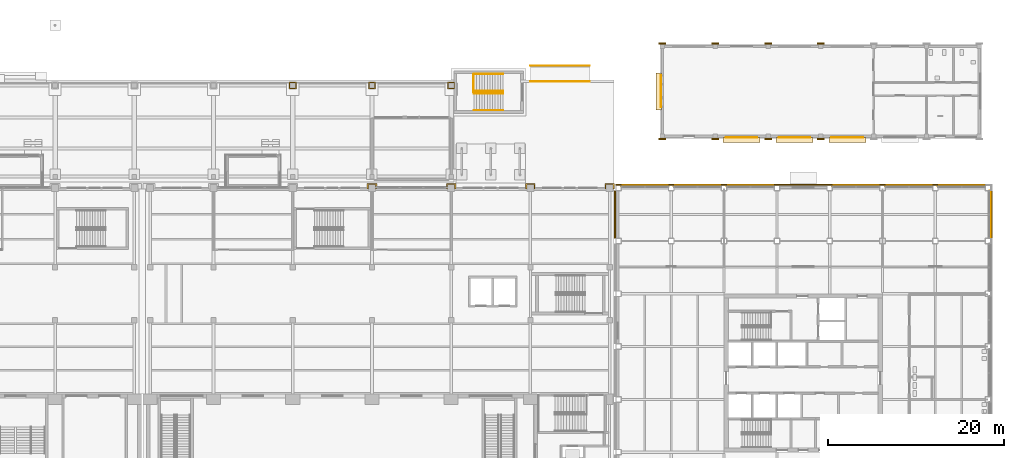
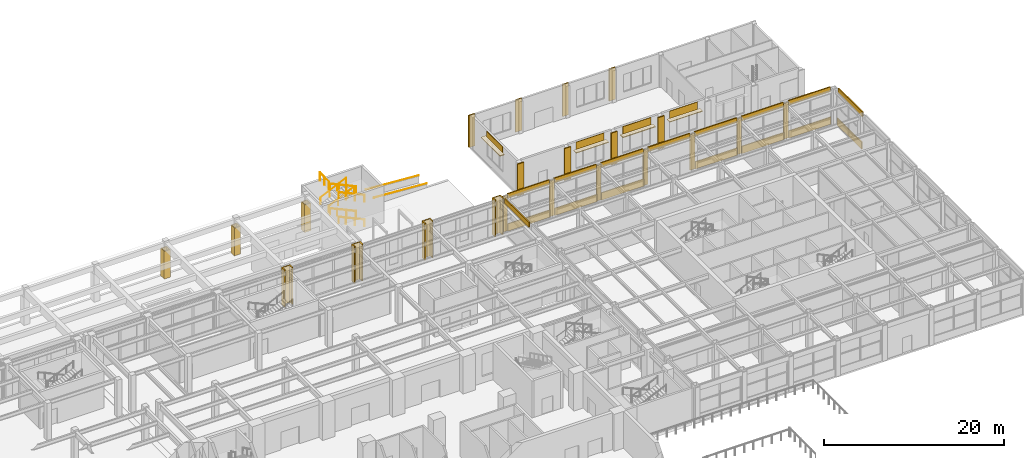
# One storey, part 73 of 77: 46 coverings, 9 railings.
"""IFC4 building model written with IfcOpenShell, lengths in metres."""

from ifc_helpers import new_model, si_unit, direction, frame, origin, origin_2d, place, context, subcontext, project, spatial, polyline, circle, outline, extrude, material, layer, layer_set, type_object, element, save


model = new_model("IFC4")

# Units and contexts
model_context = context("Model", 3, precision=1e-05, world=origin(), true_north=direction((0.0, 1.0)))
body_context = subcontext(model_context, "Body", "Model", "MODEL_VIEW")
ifc_project = project(units=[si_unit("LENGTHUNIT", "METRE"), si_unit("AREAUNIT", "SQUARE_METRE"), si_unit("VOLUMEUNIT", "CUBIC_METRE"), si_unit("PLANEANGLEUNIT", "RADIAN"), si_unit("MASSUNIT", "GRAM", prefix="KILO")], contexts=[model_context])

# Site, building, storey
site_placement = place(None, origin())
site = spatial("IfcSite", under=ifc_project, at=site_placement, CompositionType="ELEMENT")
building_placement = place(site_placement, origin())
building = spatial("IfcBuilding", under=site, at=building_placement, Name="Aravalli Gate Trade Fair Centre", CompositionType="ELEMENT")
storey_placement = place(building_placement, origin())
storey = spatial("IfcBuildingStorey", under=building, at=storey_placement, Name="L00", CompositionType="ELEMENT", Elevation=0.0)

# Coverings
ifc_material_1 = material(Name="Glazed terracotta", Category="masonry")
ifc_layer_1 = layer(ifc_material_1, 0.10009765625)
ifc_layer_set_1 = layer_set([ifc_layer_1], Name="Glazed terracotta")
covering_type_1 = type_object("IfcCoveringType", Name="Arcade pier casing 100", PredefinedType="CLADDING", material=ifc_layer_set_1)
covering_1_placement = place(storey_placement, origin())
element("IfcCovering", 1, at=covering_1_placement, inside=storey, type_object=covering_type_1, Name="Arcade pier casing 14 L00", PredefinedType="CLADDING", context=body_context, shape_type="SweptSolid", body=[
    extrude(outline(polyline([(122.60009765625, 144.25), (123.39990234375, 144.25), (123.39990234375, 145.050048828125), (122.60009765625, 145.050048828125), (122.60009765625, 144.25)]), holes=[polyline([(123.300048828125, 144.949951171875), (123.300048828125, 144.35009765625), (122.699951171875, 144.35009765625), (122.699951171875, 144.949951171875), (123.300048828125, 144.949951171875)])]), origin(), (0.0, 0.0, 1.0), 3.75),
])
covering_2_placement = place(storey_placement, origin())
element("IfcCovering", 2, at=covering_2_placement, inside=storey, type_object=covering_type_1, Name="Arcade pier casing 15 L00", PredefinedType="CLADDING", context=body_context, shape_type="SweptSolid", body=[
    extrude(outline(polyline([(131.60009765625, 144.25), (132.39990234375, 144.25), (132.39990234375, 145.050048828125), (131.60009765625, 145.050048828125), (131.60009765625, 144.25)]), holes=[polyline([(132.300048828125, 144.949951171875), (132.300048828125, 144.35009765625), (131.699951171875, 144.35009765625), (131.699951171875, 144.949951171875), (132.300048828125, 144.949951171875)])]), origin(), (0.0, 0.0, 1.0), 3.75),
])
covering_3_placement = place(storey_placement, origin())
element("IfcCovering", 3, at=covering_3_placement, inside=storey, type_object=covering_type_1, Name="Arcade pier casing 16 L00", PredefinedType="CLADDING", context=body_context, shape_type="SweptSolid", body=[
    extrude(outline(polyline([(140.60009765625, 144.25), (141.39990234375, 144.25), (141.39990234375, 145.050048828125), (140.60009765625, 145.050048828125), (140.60009765625, 144.25)]), holes=[polyline([(141.300048828125, 144.949951171875), (141.300048828125, 144.35009765625), (140.699951171875, 144.35009765625), (140.699951171875, 144.949951171875), (141.300048828125, 144.949951171875)])]), origin(), (0.0, 0.0, 1.0), 3.75),
])

# Railings
ifc_material_2 = material(Name="Steel E350", Category="steel")
railing_type_1 = type_object("IfcRailingType", Name="Concourse guard 1100", PredefinedType="GUARDRAIL", material=ifc_material_2)
railing_placement = place(storey_placement, frame((143.550048828125, 143.89990234375, 5.0)))
element("IfcRailing", 4, at=railing_placement, inside=storey, type_object=railing_type_1, Name="Guard AT L00 landing edge", PredefinedType="GUARDRAIL", context=body_context, shape_type="SweptSolid", body=[
    extrude(circle(Radius=0.02392578125, at=origin_2d()), frame((0.0, 0.0, 1.076171875), z_axis=(0.0, 1.0, 0.0), x_axis=(-1.0, 0.0, 0.0)), (0.0, 0.0, 1.0), 2.050048828125),
    extrude(circle(Radius=0.02099609375, at=origin_2d()), origin(), (0.0, 0.0, 1.0), 1.052001953125),
    extrude(circle(Radius=0.02099609375, at=origin_2d()), frame((0.0, 1.02490234375, 0.0)), (0.0, 0.0, 1.0), 1.052001953125),
    extrude(circle(Radius=0.02099609375, at=origin_2d()), frame((0.0, 2.050048828125, 0.0)), (0.0, 0.0, 1.0), 1.052001953125),
])
railing_type_2 = type_object("IfcRailingType", Name="Concourse plaza ramp handrail 900", PredefinedType="HANDRAIL", material=ifc_material_2)
for number, where, name in (
    (5, (150.0, 145.10009765625, 0.89990234375), "Plaza ramp 2 handrail a"),
    (6, (150.0, 146.89990234375, 0.89990234375), "Plaza ramp 2 handrail b"),
):
    element("IfcRailing", number, at=place(storey_placement, frame(where)), inside=storey, type_object=railing_type_2, Name=name, PredefinedType="HANDRAIL", context=body_context, shape_type="SweptSolid", body=[
        extrude(circle(Radius=0.02001953125, at=origin_2d()), frame((0.0, 0.0, 0.0400390625), z_axis=(0.997785636887, 0.0, -0.066511824681), x_axis=(0.0, 1.0, 0.0)), (0.0, 0.0, 1.0), 6.764892578125),
        extrude(circle(Radius=0.02099609375, at=origin_2d()), origin(), (0.0, 0.0, 1.0), 0.02001953125),
        extrude(circle(Radius=0.02099609375, at=origin_2d()), frame((6.75, 0.0, -0.449951171875)), (0.0, 0.0, 1.0), 0.02001953125),
    ])
railing_type_3 = type_object("IfcRailingType", Name="Concourse stair handrail 900", PredefinedType="HANDRAIL", material=ifc_material_2)
for number, where, name in (
    (7, (146.89990234375, 141.85009765625, 0.138916015625), "Handrail AT L00 flight 1o"),
    (8, (146.89990234375, 143.75, 0.138916015625), "Handrail AT L00 flight 1i"),
):
    element("IfcRailing", number, at=place(storey_placement, frame(where)), inside=storey, type_object=railing_type_3, Name=name, PredefinedType="HANDRAIL", context=body_context, shape_type="SweptSolid", body=[
        extrude(circle(Radius=0.02392578125, at=origin_2d()), frame((0.0, 0.0, 0.8759765625), z_axis=(-0.907499493834, 0.0, 0.420053173647), x_axis=(0.0, -1.0, 0.0)), (0.0, 0.0, 1.0), 1.322265625),
        extrude(circle(Radius=0.02392578125, at=origin_2d()), frame((-1.199951171875, 0.0, 1.43115234375), z_axis=(-0.907429102623, 0.0, 0.420205216189), x_axis=(0.0, -1.0, 0.0)), (0.0, 0.0, 1.0), 1.322265625),
        extrude(circle(Radius=0.02392578125, at=origin_2d()), frame((-2.39990234375, 0.0, 1.98681640625), z_axis=(-0.907418235185, 0.0, 0.420228683522), x_axis=(0.0, -1.0, 0.0)), (0.0, 0.0, 1.0), 0.99169921875),
        extrude(circle(Radius=0.02099609375, at=origin_2d()), origin(), (0.0, 0.0, 1.0), 0.851806640625),
        extrude(circle(Radius=0.02099609375, at=origin_2d()), frame((-1.199951171875, 0.0, 0.555419921875)), (0.0, 0.0, 1.0), 0.851806640625),
        extrude(circle(Radius=0.02099609375, at=origin_2d()), frame((-2.39990234375, 0.0, 1.111083984375)), (0.0, 0.0, 1.0), 0.851806640625),
        extrude(circle(Radius=0.02099609375, at=origin_2d()), frame((-3.2998046875, 0.0, 1.52783203125)), (0.0, 0.0, 1.0), 0.851806640625),
    ])
for number, where, name in (
    (9, (143.60009765625, 145.949951171875, 1.8056640625), "Handrail AT L00 flight 2o"),
    (10, (143.60009765625, 144.050048828125, 1.8056640625), "Handrail AT L00 flight 2i"),
):
    element("IfcRailing", number, at=place(storey_placement, frame(where)), inside=storey, type_object=railing_type_3, Name=name, PredefinedType="HANDRAIL", context=body_context, shape_type="SweptSolid", body=[
        extrude(circle(Radius=0.02392578125, at=origin_2d()), frame((0.0, 0.0, 0.8759765625), z_axis=(0.907499493834, 0.0, 0.420053173647), x_axis=(0.0, 1.0, 0.0)), (0.0, 0.0, 1.0), 1.322265625),
        extrude(circle(Radius=0.02392578125, at=origin_2d()), frame((1.199951171875, 0.0, 1.43115234375), z_axis=(0.907429102623, 0.0, 0.420205216189), x_axis=(0.0, 1.0, 0.0)), (0.0, 0.0, 1.0), 1.322265625),
        extrude(circle(Radius=0.02392578125, at=origin_2d()), frame((2.39990234375, 0.0, 1.98681640625), z_axis=(0.907512096258, 0.0, 0.420025945799), x_axis=(0.0, 1.0, 0.0)), (0.0, 0.0, 1.0), 0.99169921875),
        extrude(circle(Radius=0.02099609375, at=origin_2d()), origin(), (0.0, 0.0, 1.0), 0.851806640625),
        extrude(circle(Radius=0.02099609375, at=origin_2d()), frame((1.199951171875, 0.0, 0.555419921875)), (0.0, 0.0, 1.0), 0.851806640625),
        extrude(circle(Radius=0.02099609375, at=origin_2d()), frame((2.39990234375, 0.0, 1.111083984375)), (0.0, 0.0, 1.0), 0.851806640625),
        extrude(circle(Radius=0.02099609375, at=origin_2d()), frame((3.2998046875, 0.0, 1.527587890625)), (0.0, 0.0, 1.0), 0.851806640625),
    ])
for number, where, name in (
    (11, (146.89990234375, 141.85009765625, 3.47216796875), "Handrail AT L00 flight 3o"),
    (12, (146.89990234375, 143.75, 3.47216796875), "Handrail AT L00 flight 3i"),
):
    element("IfcRailing", number, at=place(storey_placement, frame(where)), inside=storey, type_object=railing_type_3, Name=name, PredefinedType="HANDRAIL", context=body_context, shape_type="SweptSolid", body=[
        extrude(circle(Radius=0.02392578125, at=origin_2d()), frame((0.0, 0.0, 0.8759765625), z_axis=(-0.907429102623, 0.0, 0.420205216189), x_axis=(0.0, -1.0, 0.0)), (0.0, 0.0, 1.0), 1.322265625),
        extrude(circle(Radius=0.02392578125, at=origin_2d()), frame((-1.199951171875, 0.0, 1.431640625), z_axis=(-0.907499493834, 0.0, 0.420053173647), x_axis=(0.0, -1.0, 0.0)), (0.0, 0.0, 1.0), 1.322265625),
        extrude(circle(Radius=0.02392578125, at=origin_2d()), frame((-2.39990234375, 0.0, 1.98681640625), z_axis=(-0.907418235185, 0.0, 0.420228683522), x_axis=(0.0, -1.0, 0.0)), (0.0, 0.0, 1.0), 0.99169921875),
        extrude(circle(Radius=0.02099609375, at=origin_2d()), origin(), (0.0, 0.0, 1.0), 0.851806640625),
        extrude(circle(Radius=0.02099609375, at=origin_2d()), frame((-1.199951171875, 0.0, 0.5556640625)), (0.0, 0.0, 1.0), 0.851806640625),
        extrude(circle(Radius=0.02099609375, at=origin_2d()), frame((-2.39990234375, 0.0, 1.111083984375)), (0.0, 0.0, 1.0), 0.851806640625),
        extrude(circle(Radius=0.02099609375, at=origin_2d()), frame((-3.2998046875, 0.0, 1.52783203125)), (0.0, 0.0, 1.0), 0.851806640625),
    ])

# Coverings
ifc_material_3 = material(Name="Dholpur sandstone", Category="masonry")
ifc_layer_2 = layer(ifc_material_3, 0.06005859375)
ifc_layer_set_2 = layer_set([ifc_layer_2], Name="Dholpur sandstone")
covering_type_2 = type_object("IfcCoveringType", Name="Pavilion jali panel 60", PredefinedType="CLADDING", material=ifc_layer_set_2)
covering_4_placement = place(storey_placement, frame((0.0, 0.0, 3.550048828125)))
element("IfcCovering", 13, at=covering_4_placement, inside=storey, type_object=covering_type_2, Name="Jali panel S2", PredefinedType="CLADDING", context=body_context, shape_type="SweptSolid", body=[
    extrude(outline(polyline([(172.199951171875, 138.715087890625), (175.800048828125, 138.715087890625), (175.800048828125, 138.77490234375), (172.199951171875, 138.77490234375), (172.199951171875, 138.715087890625)])), origin(), (0.0, 0.0, 1.0), 1.0),
])
covering_5_placement = place(storey_placement, frame((0.0, 0.0, 3.550048828125)))
element("IfcCovering", 14, at=covering_5_placement, inside=storey, type_object=covering_type_2, Name="Jali panel S3", PredefinedType="CLADDING", context=body_context, shape_type="SweptSolid", body=[
    extrude(outline(polyline([(178.199951171875, 138.715087890625), (181.800048828125, 138.715087890625), (181.800048828125, 138.77490234375), (178.199951171875, 138.77490234375), (178.199951171875, 138.715087890625)])), origin(), (0.0, 0.0, 1.0), 1.0),
])
covering_6_placement = place(storey_placement, frame((0.0, 0.0, 3.550048828125)))
element("IfcCovering", 15, at=covering_6_placement, inside=storey, type_object=covering_type_2, Name="Jali panel S4", PredefinedType="CLADDING", context=body_context, shape_type="SweptSolid", body=[
    extrude(outline(polyline([(184.199951171875, 138.715087890625), (187.800048828125, 138.715087890625), (187.800048828125, 138.77490234375), (184.199951171875, 138.77490234375), (184.199951171875, 138.715087890625)])), origin(), (0.0, 0.0, 1.0), 1.0),
])
covering_7_placement = place(storey_placement, frame((0.0, 0.0, 3.550048828125)))
element("IfcCovering", 16, at=covering_7_placement, inside=storey, type_object=covering_type_2, Name="Jali panel W", PredefinedType="CLADDING", context=body_context, shape_type="SweptSolid", body=[
    extrude(outline(polyline([(164.81494140625, 142.199951171875), (164.875, 142.199951171875), (164.875, 145.800048828125), (164.81494140625, 145.800048828125), (164.81494140625, 142.199951171875)])), origin(), (0.0, 0.0, 1.0), 0.800048828125),
])
ifc_layer_3 = layer(ifc_material_1, 0.14990234375)
ifc_layer_set_3 = layer_set([ifc_layer_3], Name="Glazed terracotta")
covering_type_3 = type_object("IfcCoveringType", Name="Terracotta pier casing 150", PredefinedType="CLADDING", material=ifc_layer_set_3)
covering_8_placement = place(storey_placement, origin())
element("IfcCovering", 17, at=covering_8_placement, inside=storey, type_object=covering_type_3, Name="Pier casing K15 L00", PredefinedType="CLADDING", context=body_context, shape_type="SweptSolid", body=[
    extrude(outline(polyline([(131.449951171875, 132.919921875), (131.60009765625, 132.919921875), (131.60009765625, 133.39990234375), (132.39990234375, 133.39990234375), (132.39990234375, 132.919921875), (132.550048828125, 132.919921875), (132.550048828125, 133.550048828125), (131.449951171875, 133.550048828125), (131.449951171875, 132.919921875)])), origin(), (0.0, 0.0, 1.0), 5.0),
])
covering_9_placement = place(storey_placement, origin())
element("IfcCovering", 18, at=covering_9_placement, inside=storey, type_object=covering_type_3, Name="Pier casing K16 L00", PredefinedType="CLADDING", context=body_context, shape_type="SweptSolid", body=[
    extrude(outline(polyline([(140.449951171875, 132.919921875), (140.60009765625, 132.919921875), (140.60009765625, 133.39990234375), (141.39990234375, 133.39990234375), (141.39990234375, 132.919921875), (141.550048828125, 132.919921875), (141.550048828125, 133.550048828125), (140.449951171875, 133.550048828125), (140.449951171875, 132.919921875)])), origin(), (0.0, 0.0, 1.0), 5.0),
])
covering_10_placement = place(storey_placement, origin())
element("IfcCovering", 19, at=covering_10_placement, inside=storey, type_object=covering_type_3, Name="Pier casing K17 L00", PredefinedType="CLADDING", context=body_context, shape_type="SweptSolid", body=[
    extrude(outline(polyline([(149.449951171875, 132.919921875), (149.60009765625, 132.919921875), (149.60009765625, 133.39990234375), (150.39990234375, 133.39990234375), (150.39990234375, 132.919921875), (150.550048828125, 132.919921875), (150.550048828125, 133.550048828125), (149.449951171875, 133.550048828125), (149.449951171875, 132.919921875)])), origin(), (0.0, 0.0, 1.0), 5.0),
])
covering_11_placement = place(storey_placement, origin())
element("IfcCovering", 20, at=covering_11_placement, inside=storey, type_object=covering_type_3, Name="Pier casing KE L00", PredefinedType="CLADDING", context=body_context, shape_type="SweptSolid", body=[
    extrude(outline(polyline([(158.449951171875, 132.919921875), (158.60009765625, 132.919921875), (158.60009765625, 133.39990234375), (159.39990234375, 133.39990234375), (159.39990234375, 132.919921875), (159.550048828125, 132.919921875), (159.550048828125, 133.550048828125), (158.449951171875, 133.550048828125), (158.449951171875, 132.919921875)])), origin(), (0.0, 0.0, 1.0), 5.0),
])
ifc_material_4 = material(Name="Terracotta", Category="masonry")
ifc_layer_4 = layer(ifc_material_4, 0.10009765625)
ifc_layer_set_4 = layer_set([ifc_layer_4], Name="Terracotta")
covering_type_4 = type_object("IfcCoveringType", Name="Wing chhajja hood 100", PredefinedType="MOLDING", material=ifc_layer_set_4)
covering_12_placement = place(storey_placement, frame((0.0, 0.0, 3.449951171875)))
element("IfcCovering", 21, at=covering_12_placement, inside=storey, type_object=covering_type_4, Name="Chhajja hood S2", PredefinedType="MOLDING", context=body_context, shape_type="SweptSolid", body=[
    extrude(outline(polyline([(171.89990234375, 138.175048828125), (176.10009765625, 138.175048828125), (176.10009765625, 138.77490234375), (171.89990234375, 138.77490234375), (171.89990234375, 138.175048828125)])), origin(), (0.0, 0.0, 1.0), 0.10009765625),
])
covering_13_placement = place(storey_placement, frame((0.0, 0.0, 3.449951171875)))
element("IfcCovering", 22, at=covering_13_placement, inside=storey, type_object=covering_type_4, Name="Chhajja hood S3", PredefinedType="MOLDING", context=body_context, shape_type="SweptSolid", body=[
    extrude(outline(polyline([(177.89990234375, 138.175048828125), (182.10009765625, 138.175048828125), (182.10009765625, 138.77490234375), (177.89990234375, 138.77490234375), (177.89990234375, 138.175048828125)])), origin(), (0.0, 0.0, 1.0), 0.10009765625),
])
covering_14_placement = place(storey_placement, frame((0.0, 0.0, 3.449951171875)))
element("IfcCovering", 23, at=covering_14_placement, inside=storey, type_object=covering_type_4, Name="Chhajja hood S4", PredefinedType="MOLDING", context=body_context, shape_type="SweptSolid", body=[
    extrude(outline(polyline([(183.89990234375, 138.175048828125), (188.10009765625, 138.175048828125), (188.10009765625, 138.77490234375), (183.89990234375, 138.77490234375), (183.89990234375, 138.175048828125)])), origin(), (0.0, 0.0, 1.0), 0.10009765625),
])
covering_15_placement = place(storey_placement, frame((0.0, 0.0, 3.449951171875)))
element("IfcCovering", 24, at=covering_15_placement, inside=storey, type_object=covering_type_4, Name="Chhajja hood W", PredefinedType="MOLDING", context=body_context, shape_type="SweptSolid", body=[
    extrude(outline(polyline([(164.27490234375, 141.89990234375), (164.875, 141.89990234375), (164.875, 146.10009765625), (164.27490234375, 146.10009765625), (164.27490234375, 141.89990234375)])), origin(), (0.0, 0.0, 1.0), 0.10009765625),
])
ifc_layer_5 = layer(ifc_material_1, 0.14990234375)
ifc_layer_set_5 = layer_set([ifc_layer_5], Name="Glazed terracotta")
covering_type_5 = type_object("IfcCoveringType", Name="Wing pier casing 150", PredefinedType="CLADDING", material=ifc_layer_set_5)
covering_16_placement = place(storey_placement, origin())
element("IfcCovering", 25, at=covering_16_placement, inside=storey, type_object=covering_type_5, Name="Pier casing 1S", PredefinedType="CLADDING", context=body_context, shape_type="SweptSolid", body=[
    extrude(outline(polyline([(164.60009765625, 138.5), (165.39990234375, 138.5), (165.39990234375, 138.64990234375), (164.60009765625, 138.64990234375), (164.60009765625, 138.5)])), origin(), (0.0, 0.0, 1.0), 4.35009765625),
])
covering_17_placement = place(storey_placement, origin())
element("IfcCovering", 26, at=covering_17_placement, inside=storey, type_object=covering_type_5, Name="Pier casing 1N", PredefinedType="CLADDING", context=body_context, shape_type="SweptSolid", body=[
    extrude(outline(polyline([(164.60009765625, 149.35009765625), (165.39990234375, 149.35009765625), (165.39990234375, 149.5), (164.60009765625, 149.5), (164.60009765625, 149.35009765625)])), origin(), (0.0, 0.0, 1.0), 4.35009765625),
])
covering_18_placement = place(storey_placement, origin())
element("IfcCovering", 27, at=covering_18_placement, inside=storey, type_object=covering_type_5, Name="Pier casing 2S", PredefinedType="CLADDING", context=body_context, shape_type="SweptSolid", body=[
    extrude(outline(polyline([(170.60009765625, 138.5), (171.39990234375, 138.5), (171.39990234375, 138.64990234375), (170.60009765625, 138.64990234375), (170.60009765625, 138.5)])), origin(), (0.0, 0.0, 1.0), 4.35009765625),
])
covering_19_placement = place(storey_placement, origin())
element("IfcCovering", 28, at=covering_19_placement, inside=storey, type_object=covering_type_5, Name="Pier casing 2N", PredefinedType="CLADDING", context=body_context, shape_type="SweptSolid", body=[
    extrude(outline(polyline([(170.60009765625, 149.35009765625), (171.39990234375, 149.35009765625), (171.39990234375, 149.5), (170.60009765625, 149.5), (170.60009765625, 149.35009765625)])), origin(), (0.0, 0.0, 1.0), 4.35009765625),
])
covering_20_placement = place(storey_placement, origin())
element("IfcCovering", 29, at=covering_20_placement, inside=storey, type_object=covering_type_5, Name="Pier casing 3S", PredefinedType="CLADDING", context=body_context, shape_type="SweptSolid", body=[
    extrude(outline(polyline([(176.60009765625, 138.5), (177.39990234375, 138.5), (177.39990234375, 138.64990234375), (176.60009765625, 138.64990234375), (176.60009765625, 138.5)])), origin(), (0.0, 0.0, 1.0), 4.35009765625),
])
covering_21_placement = place(storey_placement, origin())
element("IfcCovering", 30, at=covering_21_placement, inside=storey, type_object=covering_type_5, Name="Pier casing 3N", PredefinedType="CLADDING", context=body_context, shape_type="SweptSolid", body=[
    extrude(outline(polyline([(176.60009765625, 149.35009765625), (177.39990234375, 149.35009765625), (177.39990234375, 149.5), (176.60009765625, 149.5), (176.60009765625, 149.35009765625)])), origin(), (0.0, 0.0, 1.0), 4.35009765625),
])
covering_22_placement = place(storey_placement, origin())
element("IfcCovering", 31, at=covering_22_placement, inside=storey, type_object=covering_type_5, Name="Pier casing 4S", PredefinedType="CLADDING", context=body_context, shape_type="SweptSolid", body=[
    extrude(outline(polyline([(182.60009765625, 138.5), (183.39990234375, 138.5), (183.39990234375, 138.64990234375), (182.60009765625, 138.64990234375), (182.60009765625, 138.5)])), origin(), (0.0, 0.0, 1.0), 4.35009765625),
])
covering_23_placement = place(storey_placement, origin())
element("IfcCovering", 32, at=covering_23_placement, inside=storey, type_object=covering_type_5, Name="Pier casing 4N", PredefinedType="CLADDING", context=body_context, shape_type="SweptSolid", body=[
    extrude(outline(polyline([(182.60009765625, 149.35009765625), (183.39990234375, 149.35009765625), (183.39990234375, 149.5), (182.60009765625, 149.5), (182.60009765625, 149.35009765625)])), origin(), (0.0, 0.0, 1.0), 4.35009765625),
])
ifc_layer_6 = layer(ifc_material_3, 0.14990234375)
ifc_layer_set_6 = layer_set([ifc_layer_6], Name="Dholpur sandstone")
covering_type_6 = type_object("IfcCoveringType", Name="Wing sandstone pier casing 150", PredefinedType="CLADDING", material=ifc_layer_set_6)
covering_24_placement = place(storey_placement, origin())
element("IfcCovering", 33, at=covering_24_placement, inside=storey, type_object=covering_type_6, Name="Pier casing 18K N L00", PredefinedType="CLADDING", context=body_context, shape_type="SweptSolid", body=[
    extrude(outline(polyline([(159.699951171875, 133.300048828125), (160.300048828125, 133.300048828125), (160.300048828125, 133.449951171875), (159.699951171875, 133.449951171875), (159.699951171875, 133.300048828125)])), origin(), (0.0, 0.0, 1.0), 4.800048828125),
])
covering_25_placement = place(storey_placement, origin())
element("IfcCovering", 34, at=covering_25_placement, inside=storey, type_object=covering_type_6, Name="Pier casing 19K N L00", PredefinedType="CLADDING", context=body_context, shape_type="SweptSolid", body=[
    extrude(outline(polyline([(165.699951171875, 133.300048828125), (166.300048828125, 133.300048828125), (166.300048828125, 133.449951171875), (165.699951171875, 133.449951171875), (165.699951171875, 133.300048828125)])), origin(), (0.0, 0.0, 1.0), 4.800048828125),
])
covering_26_placement = place(storey_placement, origin())
element("IfcCovering", 35, at=covering_26_placement, inside=storey, type_object=covering_type_6, Name="Pier casing 20K N L00", PredefinedType="CLADDING", context=body_context, shape_type="SweptSolid", body=[
    extrude(outline(polyline([(171.699951171875, 133.300048828125), (172.300048828125, 133.300048828125), (172.300048828125, 133.449951171875), (171.699951171875, 133.449951171875), (171.699951171875, 133.300048828125)])), origin(), (0.0, 0.0, 1.0), 4.800048828125),
])
covering_27_placement = place(storey_placement, origin())
element("IfcCovering", 36, at=covering_27_placement, inside=storey, type_object=covering_type_6, Name="Pier casing 21K N L00", PredefinedType="CLADDING", context=body_context, shape_type="SweptSolid", body=[
    extrude(outline(polyline([(177.699951171875, 133.300048828125), (178.300048828125, 133.300048828125), (178.300048828125, 133.449951171875), (177.699951171875, 133.449951171875), (177.699951171875, 133.300048828125)])), origin(), (0.0, 0.0, 1.0), 4.800048828125),
])
covering_28_placement = place(storey_placement, origin())
element("IfcCovering", 37, at=covering_28_placement, inside=storey, type_object=covering_type_6, Name="Pier casing 22K N L00", PredefinedType="CLADDING", context=body_context, shape_type="SweptSolid", body=[
    extrude(outline(polyline([(183.699951171875, 133.300048828125), (184.300048828125, 133.300048828125), (184.300048828125, 133.449951171875), (183.699951171875, 133.449951171875), (183.699951171875, 133.300048828125)])), origin(), (0.0, 0.0, 1.0), 4.800048828125),
])
covering_29_placement = place(storey_placement, origin())
element("IfcCovering", 38, at=covering_29_placement, inside=storey, type_object=covering_type_6, Name="Pier casing 23K N L00", PredefinedType="CLADDING", context=body_context, shape_type="SweptSolid", body=[
    extrude(outline(polyline([(189.699951171875, 133.300048828125), (190.300048828125, 133.300048828125), (190.300048828125, 133.449951171875), (189.699951171875, 133.449951171875), (189.699951171875, 133.300048828125)])), origin(), (0.0, 0.0, 1.0), 4.800048828125),
])
covering_30_placement = place(storey_placement, origin())
element("IfcCovering", 39, at=covering_30_placement, inside=storey, type_object=covering_type_6, Name="Pier casing 24K N L00", PredefinedType="CLADDING", context=body_context, shape_type="SweptSolid", body=[
    extrude(outline(polyline([(195.699951171875, 133.300048828125), (196.300048828125, 133.300048828125), (196.300048828125, 133.449951171875), (195.699951171875, 133.449951171875), (195.699951171875, 133.300048828125)])), origin(), (0.0, 0.0, 1.0), 4.800048828125),
])
ifc_layer_7 = layer(ifc_material_1, 0.14501953125)
ifc_layer_set_7 = layer_set([ifc_layer_7], Name="Glazed terracotta")
covering_type_7 = type_object("IfcCoveringType", Name="Wing spandrel band 145", PredefinedType="CLADDING", material=ifc_layer_set_7)
covering_31_placement = place(storey_placement, frame((0.0, 0.0, 4.35009765625)))
element("IfcCovering", 40, at=covering_31_placement, inside=storey, type_object=covering_type_7, Name="Spandrel band N0 L00", PredefinedType="CLADDING", context=body_context, shape_type="SweptSolid", body=[
    extrude(outline(polyline([(160.300048828125, 133.304931640625), (165.699951171875, 133.304931640625), (165.699951171875, 133.449951171875), (160.300048828125, 133.449951171875), (160.300048828125, 133.304931640625)])), origin(), (0.0, 0.0, 1.0), 0.64990234375),
])
covering_32_placement = place(storey_placement, frame((0.0, 0.0, 4.35009765625)))
element("IfcCovering", 41, at=covering_32_placement, inside=storey, type_object=covering_type_7, Name="Spandrel band N1 L00", PredefinedType="CLADDING", context=body_context, shape_type="SweptSolid", body=[
    extrude(outline(polyline([(166.300048828125, 133.304931640625), (171.699951171875, 133.304931640625), (171.699951171875, 133.449951171875), (166.300048828125, 133.449951171875), (166.300048828125, 133.304931640625)])), origin(), (0.0, 0.0, 1.0), 0.64990234375),
])
covering_33_placement = place(storey_placement, frame((0.0, 0.0, 4.35009765625)))
element("IfcCovering", 42, at=covering_33_placement, inside=storey, type_object=covering_type_7, Name="Spandrel band N2 L00", PredefinedType="CLADDING", context=body_context, shape_type="SweptSolid", body=[
    extrude(outline(polyline([(172.300048828125, 133.304931640625), (177.699951171875, 133.304931640625), (177.699951171875, 133.449951171875), (172.300048828125, 133.449951171875), (172.300048828125, 133.304931640625)])), origin(), (0.0, 0.0, 1.0), 0.64990234375),
])
covering_34_placement = place(storey_placement, frame((0.0, 0.0, 4.35009765625)))
element("IfcCovering", 43, at=covering_34_placement, inside=storey, type_object=covering_type_7, Name="Spandrel band N3 L00", PredefinedType="CLADDING", context=body_context, shape_type="SweptSolid", body=[
    extrude(outline(polyline([(178.300048828125, 133.304931640625), (183.699951171875, 133.304931640625), (183.699951171875, 133.449951171875), (178.300048828125, 133.449951171875), (178.300048828125, 133.304931640625)])), origin(), (0.0, 0.0, 1.0), 0.64990234375),
])
covering_35_placement = place(storey_placement, frame((0.0, 0.0, 4.35009765625)))
element("IfcCovering", 44, at=covering_35_placement, inside=storey, type_object=covering_type_7, Name="Spandrel band N4 L00", PredefinedType="CLADDING", context=body_context, shape_type="SweptSolid", body=[
    extrude(outline(polyline([(184.300048828125, 133.304931640625), (189.699951171875, 133.304931640625), (189.699951171875, 133.449951171875), (184.300048828125, 133.449951171875), (184.300048828125, 133.304931640625)])), origin(), (0.0, 0.0, 1.0), 0.64990234375),
])
covering_36_placement = place(storey_placement, frame((0.0, 0.0, 4.35009765625)))
element("IfcCovering", 45, at=covering_36_placement, inside=storey, type_object=covering_type_7, Name="Spandrel band N5 L00", PredefinedType="CLADDING", context=body_context, shape_type="SweptSolid", body=[
    extrude(outline(polyline([(190.300048828125, 133.304931640625), (195.699951171875, 133.304931640625), (195.699951171875, 133.449951171875), (190.300048828125, 133.449951171875), (190.300048828125, 133.304931640625)])), origin(), (0.0, 0.0, 1.0), 0.64990234375),
])
covering_37_placement = place(storey_placement, frame((0.0, 0.0, 4.35009765625)))
element("IfcCovering", 46, at=covering_37_placement, inside=storey, type_object=covering_type_7, Name="Spandrel band N6 L00", PredefinedType="CLADDING", context=body_context, shape_type="SweptSolid", body=[
    extrude(outline(polyline([(196.300048828125, 133.304931640625), (201.699951171875, 133.304931640625), (201.699951171875, 133.449951171875), (196.300048828125, 133.449951171875), (196.300048828125, 133.304931640625)])), origin(), (0.0, 0.0, 1.0), 0.64990234375),
])
covering_38_placement = place(storey_placement, frame((0.0, 0.0, 4.35009765625)))
element("IfcCovering", 47, at=covering_38_placement, inside=storey, type_object=covering_type_7, Name="Spandrel band W6 L00", PredefinedType="CLADDING", context=body_context, shape_type="SweptSolid", body=[
    extrude(outline(polyline([(159.550048828125, 127.300048828125), (159.695068359375, 127.300048828125), (159.695068359375, 132.699951171875), (159.550048828125, 132.699951171875), (159.550048828125, 127.300048828125)])), origin(), (0.0, 0.0, 1.0), 0.64990234375),
])
covering_39_placement = place(storey_placement, frame((0.0, 0.0, 4.35009765625)))
element("IfcCovering", 48, at=covering_39_placement, inside=storey, type_object=covering_type_7, Name="Spandrel band E6 L00", PredefinedType="CLADDING", context=body_context, shape_type="SweptSolid", body=[
    extrude(outline(polyline([(202.304931640625, 127.300048828125), (202.449951171875, 127.300048828125), (202.449951171875, 132.699951171875), (202.304931640625, 132.699951171875), (202.304931640625, 127.300048828125)])), origin(), (0.0, 0.0, 1.0), 0.64990234375),
])
ifc_layer_8 = layer(ifc_material_3, 0.10009765625)
ifc_layer_set_8 = layer_set([ifc_layer_8], Name="Dholpur sandstone")
covering_type_8 = type_object("IfcCoveringType", Name="Wing stone base course 100", PredefinedType="CLADDING", material=ifc_layer_set_8)
covering_40_placement = place(storey_placement, origin())
element("IfcCovering", 49, at=covering_40_placement, inside=storey, type_object=covering_type_8, Name="Stone base course N0 L00", PredefinedType="CLADDING", context=body_context, shape_type="SweptSolid", body=[
    extrude(outline(polyline([(160.300048828125, 133.199951171875), (165.699951171875, 133.199951171875), (165.699951171875, 133.300048828125), (160.300048828125, 133.300048828125), (160.300048828125, 133.199951171875)])), origin(), (0.0, 0.0, 1.0), 1.0),
])
covering_41_placement = place(storey_placement, origin())
element("IfcCovering", 50, at=covering_41_placement, inside=storey, type_object=covering_type_8, Name="Stone base course N1 L00", PredefinedType="CLADDING", context=body_context, shape_type="SweptSolid", body=[
    extrude(outline(polyline([(166.300048828125, 133.199951171875), (171.699951171875, 133.199951171875), (171.699951171875, 133.300048828125), (166.300048828125, 133.300048828125), (166.300048828125, 133.199951171875)])), origin(), (0.0, 0.0, 1.0), 1.0),
])
covering_42_placement = place(storey_placement, origin())
element("IfcCovering", 51, at=covering_42_placement, inside=storey, type_object=covering_type_8, Name="Stone base course N2 L00", PredefinedType="CLADDING", context=body_context, shape_type="SweptSolid", body=[
    extrude(outline(polyline([(172.300048828125, 133.199951171875), (177.699951171875, 133.199951171875), (177.699951171875, 133.300048828125), (172.300048828125, 133.300048828125), (172.300048828125, 133.199951171875)])), origin(), (0.0, 0.0, 1.0), 1.0),
])
covering_43_placement = place(storey_placement, origin())
element("IfcCovering", 52, at=covering_43_placement, inside=storey, type_object=covering_type_8, Name="Stone base course N4 L00", PredefinedType="CLADDING", context=body_context, shape_type="SweptSolid", body=[
    extrude(outline(polyline([(184.300048828125, 133.199951171875), (189.699951171875, 133.199951171875), (189.699951171875, 133.300048828125), (184.300048828125, 133.300048828125), (184.300048828125, 133.199951171875)])), origin(), (0.0, 0.0, 1.0), 1.0),
])
covering_44_placement = place(storey_placement, origin())
element("IfcCovering", 53, at=covering_44_placement, inside=storey, type_object=covering_type_8, Name="Stone base course N5 L00", PredefinedType="CLADDING", context=body_context, shape_type="SweptSolid", body=[
    extrude(outline(polyline([(190.300048828125, 133.199951171875), (195.699951171875, 133.199951171875), (195.699951171875, 133.300048828125), (190.300048828125, 133.300048828125), (190.300048828125, 133.199951171875)])), origin(), (0.0, 0.0, 1.0), 1.0),
])
covering_45_placement = place(storey_placement, origin())
element("IfcCovering", 54, at=covering_45_placement, inside=storey, type_object=covering_type_8, Name="Stone base course N6 L00", PredefinedType="CLADDING", context=body_context, shape_type="SweptSolid", body=[
    extrude(outline(polyline([(196.300048828125, 133.199951171875), (201.699951171875, 133.199951171875), (201.699951171875, 133.300048828125), (196.300048828125, 133.300048828125), (196.300048828125, 133.199951171875)])), origin(), (0.0, 0.0, 1.0), 1.0),
])
covering_46_placement = place(storey_placement, origin())
element("IfcCovering", 55, at=covering_46_placement, inside=storey, type_object=covering_type_8, Name="Stone base course E6 L00", PredefinedType="CLADDING", context=body_context, shape_type="SweptSolid", body=[
    extrude(outline(polyline([(202.199951171875, 127.300048828125), (202.300048828125, 127.300048828125), (202.300048828125, 132.699951171875), (202.199951171875, 132.699951171875), (202.199951171875, 127.300048828125)])), origin(), (0.0, 0.0, 1.0), 1.0),
])

save(model, "model.ifc")
